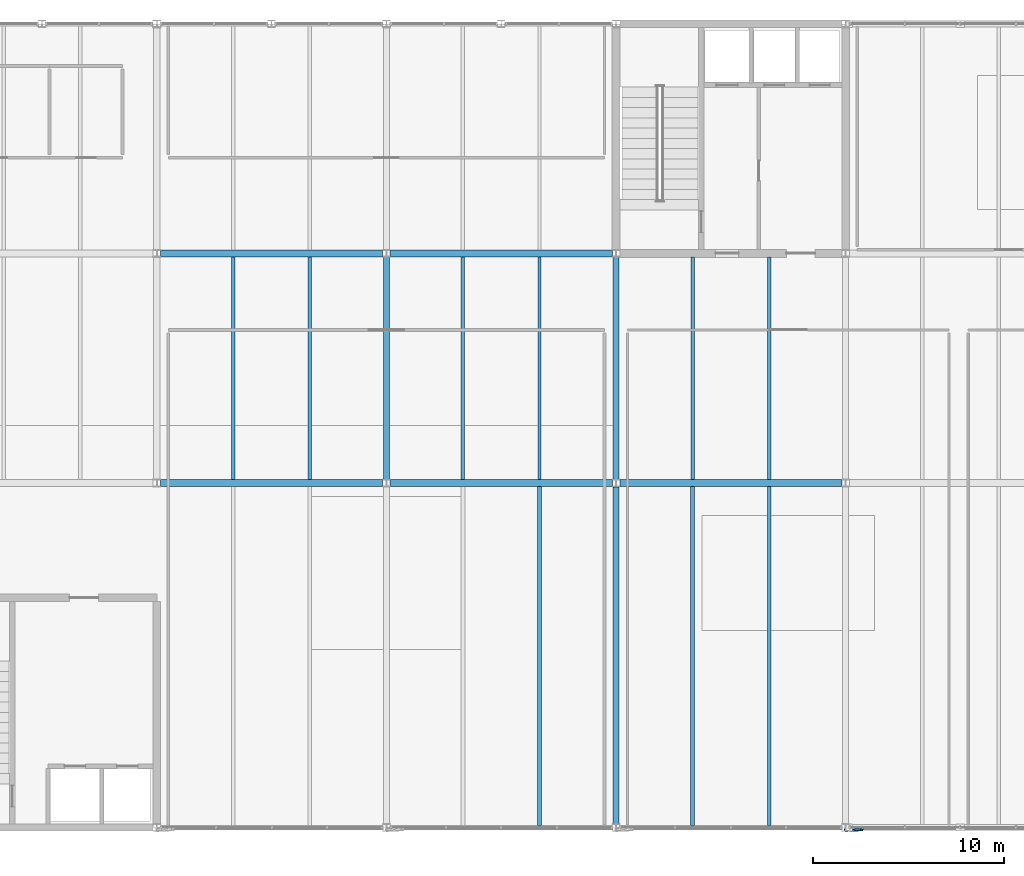
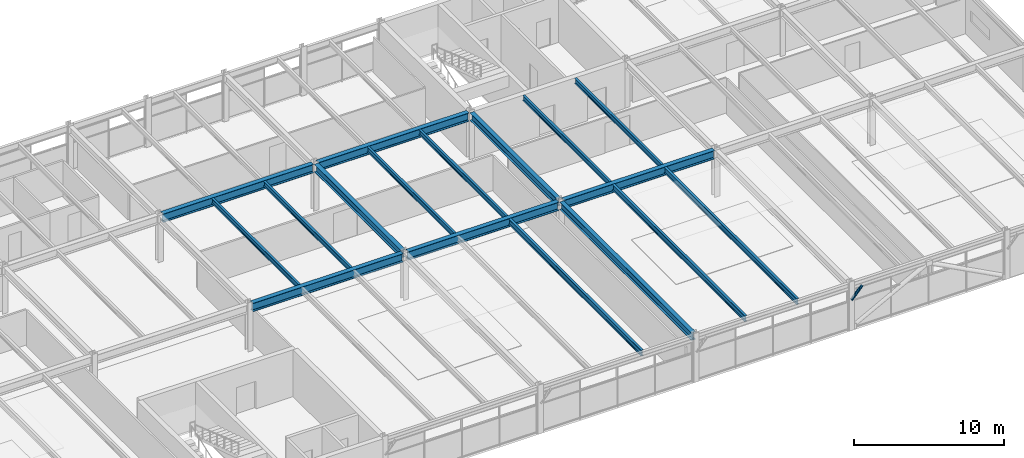
# One storey, part 32 of 51: 17 beams, 1 member.
"""IFC4 building model written with IfcOpenShell, lengths in metres."""

from ifc_helpers import new_model, si_unit, direction, frame, origin, origin_2d, place, context, subcontext, project, spatial, hollow_circle, i_section, extrude, material, material_profile, profile_set, type_object, element, save


model = new_model("IFC4")

# Units and contexts
model_context = context("Model", 3, precision=1e-05, world=origin(), true_north=direction((0.0, 1.0)))
body_context = subcontext(model_context, "Body", "Model", "MODEL_VIEW")
ifc_project = project(units=[si_unit("LENGTHUNIT", "METRE"), si_unit("AREAUNIT", "SQUARE_METRE"), si_unit("VOLUMEUNIT", "CUBIC_METRE"), si_unit("PLANEANGLEUNIT", "RADIAN"), si_unit("MASSUNIT", "GRAM", prefix="KILO")], contexts=[model_context])

# Site, building, storey
site_placement = place(None, origin())
site = spatial("IfcSite", under=ifc_project, at=site_placement, CompositionType="ELEMENT")
building_placement = place(site_placement, origin())
building = spatial("IfcBuilding", under=site, at=building_placement, Name="Girod Span Mobility Hub", CompositionType="ELEMENT")
storey_placement = place(building_placement, frame((0.0, 0.0, 41.60009765625)))
storey = spatial("IfcBuildingStorey", under=building, at=storey_placement, Name="L10", CompositionType="ELEMENT", Elevation=41.60009765625)

# Beams
ifc_material_1 = material(Name="Steel A992 Grade 50", Category="steel")
ifc_material_profile_1 = material_profile(ifc_material_1, i_section(OverallWidth=0.178955078125, OverallDepth=0.409912109375, WebThickness=0.0087890625, FlangeThickness=0.014404296875, FilletRadius=0.012939453125, at=origin_2d()), Name="W16X45")
ifc_profile_set_1 = profile_set([ifc_material_profile_1], Name="Steel A992 Grade 50")
beam_type_1 = type_object("IfcBeamType", Name="BM-STL-W16X45", PredefinedType="BEAM", material=ifc_profile_set_1)
for number, where, z_axis, x_axis, name in (
    (1, (88.0, 45.174560546875, 3.619873046875), (0.0, 1.0, 0.0), (-1.0, 0.0, 0.0), "Composite Floorbeam 8/D-1 L10"),
    (2, (92.0, 45.174560546875, 3.619873046875), (0.0, 1.0, 0.0), (-1.0, 0.0, 0.0), "Composite Floorbeam 8/D-2 L10"),
    (3, (100.0, 45.174560546875, 3.619873046875), (0.0, 1.0, 0.0), (-1.0, 0.0, 0.0), "Composite Floorbeam 9/D-1 L10"),
    (4, (104.0, 45.174560546875, 3.619873046875), (0.0, 1.0, 0.0), (-1.0, 0.0, 0.0), "Composite Floorbeam 9/D-2 L10"),
):
    element("IfcBeam", number, at=place(storey_placement, frame(where, z_axis=z_axis, x_axis=x_axis)), inside=storey, type_object=beam_type_1, Name=name, PredefinedType="BEAM", context=body_context, shape_type="SweptSolid", body=[
        extrude(i_section(OverallWidth=0.178955078125, OverallDepth=0.409912109375, WebThickness=0.0087890625, FlangeThickness=0.014404296875, FilletRadius=0.012939453125, at=origin_2d()), origin(), (0.0, 0.0, 1.0), 11.65087890625),
    ])
for number, where, z_axis, x_axis, name in (
    (5, (112.0, 45.174560546875, 3.619873046875), (0.0, 1.0, 0.0), (-1.0, 0.0, 0.0), "Composite Floorbeam 10/D-1 L10"),
    (6, (116.0, 45.174560546875, 3.619873046875), (0.0, 1.0, 0.0), (-1.0, 0.0, 0.0), "Composite Floorbeam 10/D-2 L10"),
):
    element("IfcBeam", number, at=place(storey_placement, frame(where, z_axis=z_axis, x_axis=x_axis)), inside=storey, type_object=beam_type_1, Name=name, PredefinedType="BEAM", context=body_context, shape_type="SweptSolid", body=[
        extrude(i_section(OverallWidth=0.178955078125, OverallDepth=0.409912109375, WebThickness=0.0087890625, FlangeThickness=0.014404296875, FilletRadius=0.012939453125, at=origin_2d()), origin(), (0.0, 0.0, 1.0), 11.62841796875),
    ])
ifc_material_2 = material(Name="Steel A992 Grade 50", Category="steel")
ifc_material_profile_2 = material_profile(ifc_material_2, i_section(OverallWidth=0.19189453125, OverallDepth=0.462890625, WebThickness=0.010498046875, FlangeThickness=0.017578125, FilletRadius=0.013916015625, at=origin_2d()), Name="W18X60")
ifc_profile_set_2 = profile_set([ifc_material_profile_2], Name="Steel A992 Grade 50")
beam_type_2 = type_object("IfcBeamType", Name="BM-STL-W18X60", PredefinedType="BEAM", material=ifc_profile_set_2)
for number, where, z_axis, x_axis, name in (
    (7, (104.0, 27.10302734375, 3.593505859375), (0.0, 1.0, 0.0), (-1.0, 0.0, 0.0), "Composite Floorbeam 9/C-2 L10"),
    (8, (112.0, 27.10302734375, 3.593505859375), (0.0, 1.0, 0.0), (-1.0, 0.0, 0.0), "Composite Floorbeam 10/C-1 L10"),
    (9, (116.0, 27.10302734375, 3.593505859375), (0.0, 1.0, 0.0), (-1.0, 0.0, 0.0), "Composite Floorbeam 10/C-2 L10"),
):
    element("IfcBeam", number, at=place(storey_placement, frame(where, z_axis=z_axis, x_axis=x_axis)), inside=storey, type_object=beam_type_2, Name=name, PredefinedType="BEAM", context=body_context, shape_type="SweptSolid", body=[
        extrude(i_section(OverallWidth=0.19189453125, OverallDepth=0.462890625, WebThickness=0.010498046875, FlangeThickness=0.017578125, FilletRadius=0.013916015625, at=origin_2d()), origin(), (0.0, 0.0, 1.0), 17.722412109375),
    ])
ifc_material_3 = material(Name="Steel A992 Grade 50", Category="steel")
ifc_material_profile_3 = material_profile(ifc_material_3, i_section(OverallWidth=0.323974609375, OverallDepth=0.611083984375, WebThickness=0.0126953125, FlangeThickness=0.01904296875, FilletRadius=0.014892578125, at=origin_2d()), Name="W24X104")
ifc_profile_set_3 = profile_set([ifc_material_profile_3], Name="Steel A992 Grade 50")
beam_type_3 = type_object("IfcBeamType", Name="BM-STL-W24X104", PredefinedType="BEAM", material=ifc_profile_set_3)
beam_1_placement = place(storey_placement, frame((96.0, 45.193603515625, 3.519287109375), z_axis=(0.0, 1.0, 0.0), x_axis=(-1.0, 0.0, 0.0)))
element("IfcBeam", 10, at=beam_1_placement, inside=storey, type_object=beam_type_3, Name="Tie Girder 9/D-E L10", PredefinedType="BEAM", context=body_context, shape_type="SweptSolid", body=[
    extrude(i_section(OverallWidth=0.323974609375, OverallDepth=0.611083984375, WebThickness=0.0126953125, FlangeThickness=0.01904296875, FilletRadius=0.014892578125, at=origin_2d()), origin(), (0.0, 0.0, 1.0), 11.61279296875),
])
beam_2_placement = place(storey_placement, frame((108.0, 27.1845703125, 3.519287109375), z_axis=(0.0, 1.0, 0.0), x_axis=(-1.0, 0.0, 0.0)))
element("IfcBeam", 11, at=beam_2_placement, inside=storey, type_object=beam_type_3, Name="Tie Girder 10/C-D L10", PredefinedType="BEAM", context=body_context, shape_type="SweptSolid", body=[
    extrude(i_section(OverallWidth=0.323974609375, OverallDepth=0.611083984375, WebThickness=0.0126953125, FlangeThickness=0.01904296875, FilletRadius=0.014892578125, at=origin_2d()), origin(), (0.0, 0.0, 1.0), 17.621826171875),
])
beam_3_placement = place(storey_placement, frame((108.0, 45.193603515625, 3.519287109375), z_axis=(0.0, 1.0, 0.0), x_axis=(-1.0, 0.0, 0.0)))
element("IfcBeam", 12, at=beam_3_placement, inside=storey, type_object=beam_type_3, Name="Tie Girder 10/D-E L10", PredefinedType="BEAM", context=body_context, shape_type="SweptSolid", body=[
    extrude(i_section(OverallWidth=0.323974609375, OverallDepth=0.611083984375, WebThickness=0.0126953125, FlangeThickness=0.01904296875, FilletRadius=0.014892578125, at=origin_2d()), origin(), (0.0, 0.0, 1.0), 11.61279296875),
])
ifc_material_4 = material(Name="Steel A992 Grade 50", Category="steel")
ifc_material_profile_4 = material_profile(ifc_material_4, i_section(OverallWidth=0.35498046875, OverallDepth=0.695068359375, WebThickness=0.015380859375, FlangeThickness=0.02490234375, FilletRadius=0.01806640625, at=origin_2d()), Name="W27X146")
ifc_profile_set_4 = profile_set([ifc_material_profile_4], Name="Steel A992 Grade 50")
beam_type_4 = type_object("IfcBeamType", Name="BM-STL-W27X146", PredefinedType="BEAM", material=ifc_profile_set_4)
for number, where, z_axis, x_axis, name in (
    (13, (84.196533203125, 45.0, 3.477294921875), (1.0, 0.0, 0.0), (0.0, 1.0, 0.0), "Girder 8-9/D L10"),
    (14, (96.196533203125, 45.0, 3.477294921875), (1.0, 0.0, 0.0), (0.0, 1.0, 0.0), "Girder 9-10/D L10"),
    (15, (108.196533203125, 45.0, 3.477294921875), (1.0, 0.0, 0.0), (0.0, 1.0, 0.0), "Girder 10-11/D L10"),
    (16, (84.196533203125, 57.0, 3.477294921875), (1.0, 0.0, 0.0), (0.0, 1.0, 0.0), "Girder 8-9/E L10"),
    (17, (96.196533203125, 57.0, 3.477294921875), (1.0, 0.0, 0.0), (0.0, 1.0, 0.0), "Girder 9-10/E L10"),
):
    element("IfcBeam", number, at=place(storey_placement, frame(where, z_axis=z_axis, x_axis=x_axis)), inside=storey, type_object=beam_type_4, Name=name, PredefinedType="BEAM", context=body_context, shape_type="SweptSolid", body=[
        extrude(i_section(OverallWidth=0.35498046875, OverallDepth=0.695068359375, WebThickness=0.015380859375, FlangeThickness=0.02490234375, FilletRadius=0.01806640625, at=origin_2d()), origin(), (0.0, 0.0, 1.0), 11.60693359375),
    ])

# Member
ifc_material_5 = material(Name="Steel HSS A500 Grade C", Category="steel")
ifc_material_profile_5 = material_profile(ifc_material_5, hollow_circle(Radius=0.109619140625, WallThickness=0.0087890625, at=origin_2d()), Name="HSS219X9.5")
ifc_profile_set_5 = profile_set([ifc_material_profile_5], Name="Steel HSS A500 Grade C")
member_type = type_object("IfcMemberType", Name="MB-ST-HSS219", PredefinedType="STRUT", material=ifc_profile_set_5)
member_placement = place(storey_placement, frame((120.0, 26.8798828125, 2.449951171875), z_axis=(0.68831469116, 0.032419187062, 0.72468743762), x_axis=(-0.047047213483, 0.998892666758, 0.0)))
element("IfcMember", 18, at=member_placement, inside=storey, type_object=member_type, Name="Solar Shading Knee Strut 11 L10", PredefinedType="STRUT", context=body_context, shape_type="SweptSolid", body=[
    extrude(hollow_circle(Radius=0.109619140625, WallThickness=0.0087890625, at=origin_2d()), origin(), (0.0, 0.0, 1.0), 1.235107421875),
])

save(model, "model.ifc")
